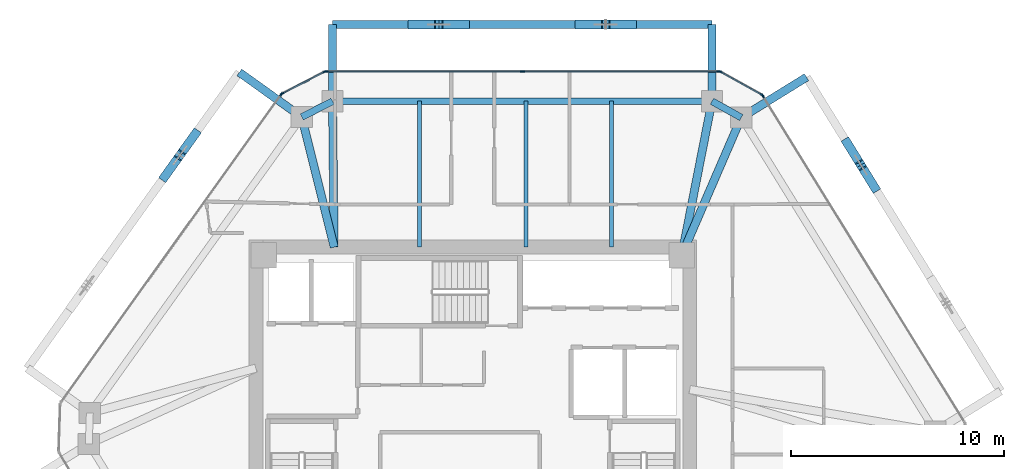
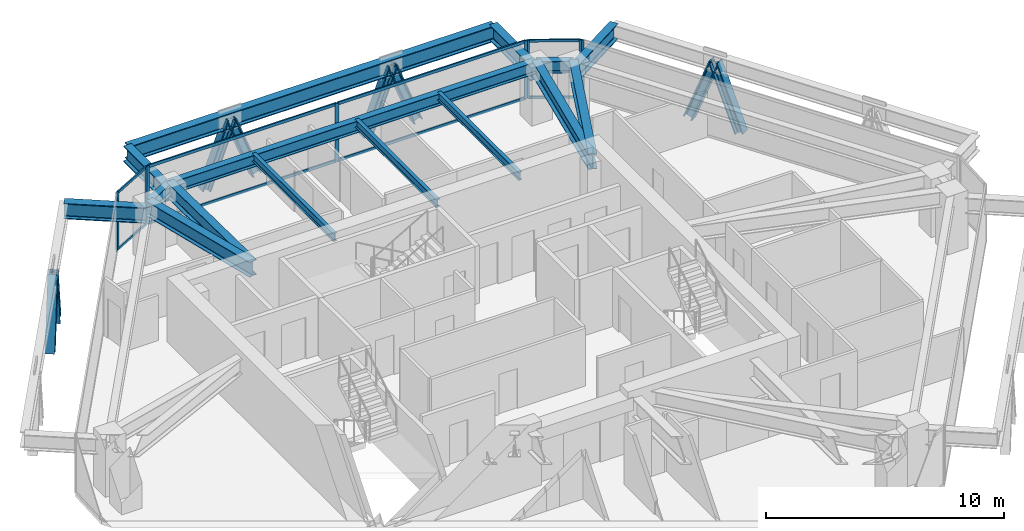
# One storey, part 6 of 14: 25 members, 15 beams, 5 elements without a shape of their own.
"""IFC4 building model written with IfcOpenShell, lengths in metres."""

from ifc_helpers import new_model, si_unit, direction, frame, origin, origin_2d, place, context, subcontext, project, spatial, rectangle, i_section, extrude, source, transform, mapped, material, layer, layer_set, material_profile, profile_set, type_object, type_shapes, element, aggregate, save


model = new_model("IFC4")

# Units and contexts
model_context = context("Model", 3, precision=1e-05, world=origin(), true_north=direction((0.0, 1.0)))
body_context = subcontext(model_context, "Body", "Model", "MODEL_VIEW")
ifc_project = project(units=[si_unit("LENGTHUNIT", "METRE"), si_unit("AREAUNIT", "SQUARE_METRE"), si_unit("VOLUMEUNIT", "CUBIC_METRE"), si_unit("PLANEANGLEUNIT", "RADIAN"), si_unit("MASSUNIT", "GRAM", prefix="KILO")], contexts=[model_context])

# Site, building, storey
site_placement = place(None, origin())
site = spatial("IfcSite", under=ifc_project, at=site_placement, CompositionType="ELEMENT")
building_placement = place(site_placement, origin())
building = spatial("IfcBuilding", under=site, at=building_placement, Name="Durnholm Broadcast Tower", CompositionType="ELEMENT")
storey_placement = place(building_placement, frame((0.0, 0.0, 159.300048828125)))
storey = spatial("IfcBuildingStorey", under=building, at=storey_placement, Name="L43", CompositionType="ELEMENT", Elevation=159.300048828125)

# Beams
ifc_material_1 = material(Name="Steel ASTM A992 Grade 50", Category="steel")
ifc_material_profile_1 = material_profile(ifc_material_1, i_section(OverallWidth=0.385009765625, OverallDepth=0.802978515625, WebThickness=0.023681640625, FlangeThickness=0.0419921875, FilletRadius=0.032958984375, at=origin_2d()), Name="W30X261")
ifc_profile_set_1 = profile_set([ifc_material_profile_1], Name="Steel ASTM A992 Grade 50")
beam_type_1 = type_object("IfcBeamType", Name="BM-EXO-TIE", PredefinedType="USERDEFINED", material=ifc_profile_set_1)
shared_shape_1 = source(origin(), body_context, "Body", "SweptSolid", [
    extrude(i_section(OverallWidth=0.385009765625, OverallDepth=0.802978515625, WebThickness=0.023681640625, FlangeThickness=0.0419921875, FilletRadius=0.032958984375, at=origin_2d()), origin(), (0.0, 0.0, 1.0), 3.4560546875),
])
for number, where, z_axis, x_axis, name in (
    (1, (12.713134765625, 14.327880859375, 2.228515625), (0.850662348375, 0.525712439512, 0.0), (-0.525712439512, 0.850662348375, 0.0), "L43 exoskeleton stand-off tie bracket F3.2"),
    (2, (-8.138916015625, 14.360107421875, 2.228515625), (-0.813079048773, 0.582153296346, 0.0), (-0.582153296346, -0.813079048773, 0.0), "L43 exoskeleton stand-off tie bracket F5.1"),
):
    element("IfcBeam", number, at=place(storey_placement, frame(where, z_axis=z_axis, x_axis=x_axis)), inside=storey, type_object=beam_type_1, Name=name, ObjectType="GIRDER", PredefinedType="USERDEFINED", context=body_context, shape_type="MappedRepresentation", body=[
        mapped(shared_shape_1, transform((0.0, 0.0, 0.0), x_axis=(1.0, 0.0, 0.0), y_axis=(0.0, 1.0, 0.0), z_axis=(0.0, 0.0, 1.0), scale=1.0)),
    ])
shared_shape_2 = source(origin(), body_context, "Body", "SweptSolid", [
    extrude(i_section(OverallWidth=0.385009765625, OverallDepth=0.802978515625, WebThickness=0.023681640625, FlangeThickness=0.0419921875, FilletRadius=0.032958984375, at=origin_2d()), origin(), (0.0, 0.0, 1.0), 3.455810546875),
])
for number, where, z_axis, x_axis, name in (
    (3, (11.217529296875, 15.162109375, 2.228515625), (0.0, 1.0, 0.0), (-1.0, 0.0, 0.0), "L43 exoskeleton stand-off tie bracket F4.1"),
    (4, (-6.57861328125, 15.162109375, 2.228515625), (0.0, 1.0, 0.0), (-1.0, 0.0, 0.0), "L43 exoskeleton stand-off tie bracket F4.2"),
):
    element("IfcBeam", number, at=place(storey_placement, frame(where, z_axis=z_axis, x_axis=x_axis)), inside=storey, type_object=beam_type_1, Name=name, ObjectType="GIRDER", PredefinedType="USERDEFINED", context=body_context, shape_type="MappedRepresentation", body=[
        mapped(shared_shape_2, transform((0.0, 0.0, 0.0), x_axis=(1.0, 0.0, 0.0), y_axis=(0.0, 1.0, 0.0), z_axis=(0.0, 0.0, 1.0), scale=1.0)),
    ])
ifc_material_profile_2 = material_profile(ifc_material_1, i_section(OverallWidth=0.3251953125, OverallDepth=0.6162109375, WebThickness=0.013916015625, FlangeThickness=0.021484375, FilletRadius=0.02783203125, at=origin_2d()), Name="W24X117")
ifc_profile_set_2 = profile_set([ifc_material_profile_2], Name="Steel ASTM A992 Grade 50")
beam_type_2 = type_object("IfcBeamType", Name="STL-SP-W24X117", PredefinedType="SPANDREL", material=ifc_profile_set_2)
shared_shape_3 = source(origin(), body_context, "Body", "SweptSolid", [
    extrude(i_section(OverallWidth=0.3251953125, OverallDepth=0.6162109375, WebThickness=0.013916015625, FlangeThickness=0.021484375, FilletRadius=0.02783203125, at=origin_2d()), origin(), (0.0, 0.0, 1.0), 1.62255859375),
])
beam_1_placement = place(storey_placement, frame((-8.021728515625, 14.2763671875, 2.65673828125), z_axis=(0.889406668864, 0.45711680934, 0.0), x_axis=(-0.45711680934, 0.889406668864, 0.0)))
element("IfcBeam", 5, at=beam_1_placement, inside=storey, type_object=beam_type_2, Name="L43 perimeter spandrel girder 04", PredefinedType="SPANDREL", context=body_context, shape_type="MappedRepresentation", body=[
    mapped(shared_shape_3, transform((0.0, 0.0, 0.0), x_axis=(1.0, 0.0, 0.0), y_axis=(0.0, 1.0, 0.0), z_axis=(0.0, 0.0, 1.0), scale=1.0)),
])
shared_shape_4 = source(origin(), body_context, "Body", "SweptSolid", [
    extrude(i_section(OverallWidth=0.3251953125, OverallDepth=0.6162109375, WebThickness=0.013916015625, FlangeThickness=0.021484375, FilletRadius=0.02783203125, at=origin_2d()), origin(), (0.0, 0.0, 1.0), 17.796142578125),
])
beam_2_placement = place(storey_placement, frame((-6.57861328125, 15.01806640625, 2.65673828125), z_axis=(1.0, 0.0, 0.0), x_axis=(0.0, 1.0, 0.0)))
element("IfcBeam", 6, at=beam_2_placement, inside=storey, type_object=beam_type_2, Name="L43 perimeter spandrel girder 05", PredefinedType="SPANDREL", context=body_context, shape_type="MappedRepresentation", body=[
    mapped(shared_shape_4, transform((0.0, 0.0, 0.0), x_axis=(1.0, 0.0, 0.0), y_axis=(0.0, 1.0, 0.0), z_axis=(0.0, 0.0, 1.0), scale=1.0)),
])
shared_shape_5 = source(origin(), body_context, "Body", "SweptSolid", [
    extrude(i_section(OverallWidth=0.3251953125, OverallDepth=0.6162109375, WebThickness=0.013916015625, FlangeThickness=0.021484375, FilletRadius=0.02783203125, at=origin_2d()), origin(), (0.0, 0.0, 1.0), 1.572509765625),
])
type_shapes(beam_type_2, [shared_shape_3, shared_shape_4, shared_shape_5])
beam_3_placement = place(storey_placement, frame((11.217529296875, 15.01806640625, 2.65673828125), z_axis=(0.873365144476, -0.487066037017, 0.0), x_axis=(0.487066037017, 0.873365144476, 0.0)))
element("IfcBeam", 7, at=beam_3_placement, inside=storey, type_object=beam_type_2, Name="L43 perimeter spandrel girder 06", PredefinedType="SPANDREL", context=body_context, shape_type="MappedRepresentation", body=[
    mapped(shared_shape_5, transform((0.0, 0.0, 0.0), x_axis=(1.0, 0.0, 0.0), y_axis=(0.0, 1.0, 0.0), z_axis=(0.0, 0.0, 1.0), scale=1.0)),
])
ifc_material_profile_3 = material_profile(ifc_material_1, i_section(OverallWidth=0.380615234375, OverallDepth=0.773193359375, WebThickness=0.0166015625, FlangeThickness=0.027099609375, FilletRadius=0.032958984375, at=origin_2d()), Name="W30X173")
ifc_profile_set_3 = profile_set([ifc_material_profile_3], Name="Steel ASTM A992 Grade 50")
beam_type_3 = type_object("IfcBeamType", Name="STL-GR-W30X173", PredefinedType="USERDEFINED", material=ifc_profile_set_3)
shared_shape_6 = source(origin(), body_context, "Body", "SweptSolid", [
    extrude(i_section(OverallWidth=0.380615234375, OverallDepth=0.773193359375, WebThickness=0.0166015625, FlangeThickness=0.027099609375, FilletRadius=0.032958984375, at=origin_2d()), origin(), (0.0, 0.0, 1.0), 7.35595703125),
])
beam_4_placement = place(storey_placement, frame((9.800048828125, 7.800048828125, 2.578369140625), z_axis=(0.192700221893, 0.981257674865, 0.0), x_axis=(-0.981257674865, 0.192700221893, 0.0)))
element("IfcBeam", 8, at=beam_4_placement, inside=storey, type_object=beam_type_3, Name="L43 radial primary floor girder 06", ObjectType="GIRDER", PredefinedType="USERDEFINED", context=body_context, shape_type="MappedRepresentation", body=[
    mapped(shared_shape_6, transform((0.0, 0.0, 0.0), x_axis=(1.0, 0.0, 0.0), y_axis=(0.0, 1.0, 0.0), z_axis=(0.0, 0.0, 1.0), scale=1.0)),
])
shared_shape_7 = source(origin(), body_context, "Body", "SweptSolid", [
    extrude(i_section(OverallWidth=0.380615234375, OverallDepth=0.773193359375, WebThickness=0.0166015625, FlangeThickness=0.027099609375, FilletRadius=0.032958984375, at=origin_2d()), origin(), (0.0, 0.0, 1.0), 7.02978515625),
])
beam_5_placement = place(storey_placement, frame((9.800048828125, 7.800048828125, 2.578369140625), z_axis=(0.396989434191, 0.91782317967, 0.0), x_axis=(-0.91782317967, 0.396989434191, 0.0)))
element("IfcBeam", 9, at=beam_5_placement, inside=storey, type_object=beam_type_3, Name="L43 radial primary floor girder 07", ObjectType="GIRDER", PredefinedType="USERDEFINED", context=body_context, shape_type="MappedRepresentation", body=[
    mapped(shared_shape_7, transform((0.0, 0.0, 0.0), x_axis=(1.0, 0.0, 0.0), y_axis=(0.0, 1.0, 0.0), z_axis=(0.0, 0.0, 1.0), scale=1.0)),
])
shared_shape_8 = source(origin(), body_context, "Body", "SweptSolid", [
    extrude(i_section(OverallWidth=0.385009765625, OverallDepth=0.802978515625, WebThickness=0.023681640625, FlangeThickness=0.0419921875, FilletRadius=0.032958984375, at=origin_2d()), origin(), (0.0, 0.0, 1.0), 17.796142578125),
])
type_shapes(beam_type_1, [shared_shape_1, shared_shape_2, shared_shape_8])
beam_6_placement = place(storey_placement, frame((11.217529296875, 18.617919921875, 2.228515625), z_axis=(-1.0, 0.0, 0.0), x_axis=(0.0, -1.0, 0.0)))
element("IfcBeam", 10, at=beam_6_placement, inside=storey, type_object=beam_type_1, Name="L43 exoskeleton collector spandrel F4", PredefinedType="SPANDREL", context=body_context, shape_type="MappedRepresentation", body=[
    mapped(shared_shape_8, transform((0.0, 0.0, 0.0), x_axis=(1.0, 0.0, 0.0), y_axis=(0.0, 1.0, 0.0), z_axis=(0.0, 0.0, 1.0), scale=1.0)),
])
shared_shape_9 = source(origin(), body_context, "Body", "SweptSolid", [
    extrude(i_section(OverallWidth=0.380615234375, OverallDepth=0.773193359375, WebThickness=0.0166015625, FlangeThickness=0.027099609375, FilletRadius=0.032958984375, at=origin_2d()), origin(), (0.0, 0.0, 1.0), 6.288330078125),
])
beam_7_placement = place(storey_placement, frame((-6.5, 8.175048828125, 2.578369140625), z_axis=(-0.241996604408, 0.970277096223, 0.0), x_axis=(-0.970277096223, -0.241996604408, 0.0)))
element("IfcBeam", 11, at=beam_7_placement, inside=storey, type_object=beam_type_3, Name="L43 radial primary floor girder 04", ObjectType="GIRDER", PredefinedType="USERDEFINED", context=body_context, shape_type="MappedRepresentation", body=[
    mapped(shared_shape_9, transform((0.0, 0.0, 0.0), x_axis=(1.0, 0.0, 0.0), y_axis=(0.0, 1.0, 0.0), z_axis=(0.0, 0.0, 1.0), scale=1.0)),
])
shared_shape_10 = source(origin(), body_context, "Body", "SweptSolid", [
    extrude(i_section(OverallWidth=0.380615234375, OverallDepth=0.773193359375, WebThickness=0.0166015625, FlangeThickness=0.027099609375, FilletRadius=0.032958984375, at=origin_2d()), origin(), (0.0, 0.0, 1.0), 6.843505859375),
])
type_shapes(beam_type_3, [shared_shape_6, shared_shape_7, shared_shape_9, shared_shape_10])
beam_8_placement = place(storey_placement, frame((-6.5, 8.175048828125, 2.578369140625), z_axis=(-0.011487343604, 0.999934018292, 0.0), x_axis=(-0.999934018292, -0.011487343604, 0.0)))
element("IfcBeam", 12, at=beam_8_placement, inside=storey, type_object=beam_type_3, Name="L43 radial primary floor girder 05", ObjectType="GIRDER", PredefinedType="USERDEFINED", context=body_context, shape_type="MappedRepresentation", body=[
    mapped(shared_shape_10, transform((0.0, 0.0, 0.0), x_axis=(1.0, 0.0, 0.0), y_axis=(0.0, 1.0, 0.0), z_axis=(0.0, 0.0, 1.0), scale=1.0)),
])
ifc_material_profile_4 = material_profile(ifc_material_1, i_section(OverallWidth=0.177734375, OverallDepth=0.40673828125, WebThickness=0.0078125, FlangeThickness=0.0126953125, FilletRadius=0.01904296875, at=origin_2d()), Name="W16X40")
ifc_profile_set_4 = profile_set([ifc_material_profile_4], Name="Steel ASTM A992 Grade 50")
beam_type_4 = type_object("IfcBeamType", Name="STL-BJ-W16X40", PredefinedType="JOIST", material=ifc_profile_set_4)
shared_shape_11 = source(origin(), body_context, "Body", "SweptSolid", [
    extrude(i_section(OverallWidth=0.177734375, OverallDepth=0.40673828125, WebThickness=0.0078125, FlangeThickness=0.0126953125, FilletRadius=0.01904296875, at=origin_2d()), origin(), (0.0, 0.0, 1.0), 6.843017578125),
])
type_shapes(beam_type_4, [shared_shape_11])
for number, where, z_axis, x_axis, name in (
    (13, (-2.5, 8.175048828125, 2.76171875), (0.0, 1.0, 0.0), (-1.0, 0.0, 0.0), "L43 secondary floor joist 5.2"),
    (14, (2.5, 8.175048828125, 2.76171875), (0.0, 1.0, 0.0), (-1.0, 0.0, 0.0), "L43 secondary floor joist 6.2"),
    (15, (6.5, 8.175048828125, 2.76171875), (0.0, 1.0, 0.0), (-1.0, 0.0, 0.0), "L43 secondary floor joist 7.2"),
):
    element("IfcBeam", number, at=place(storey_placement, frame(where, z_axis=z_axis, x_axis=x_axis)), inside=storey, type_object=beam_type_4, Name=name, PredefinedType="JOIST", context=body_context, shape_type="MappedRepresentation", body=[
        mapped(shared_shape_11, transform((0.0, 0.0, 0.0), x_axis=(1.0, 0.0, 0.0), y_axis=(0.0, 1.0, 0.0), z_axis=(0.0, 0.0, 1.0), scale=1.0)),
    ])

# Members
ifc_material_2 = material(Name="Steel ASTM A913 Grade 65", Category="steel")
ifc_material_profile_5 = material_profile(ifc_material_2, i_section(OverallWidth=0.412109375, OverallDepth=0.434814453125, WebThickness=0.035888671875, FlangeThickness=0.057373046875, FilletRadius=0.030517578125, at=origin_2d()), Name="W14X311")
ifc_profile_set_5 = profile_set([ifc_material_profile_5], Name="Steel ASTM A913 Grade 65")
member_type_1 = type_object("IfcMemberType", Name="STL-DG-W14X311", PredefinedType="BRACE", material=ifc_profile_set_5)
shared_shape_12 = source(origin(), body_context, "Body", "SweptSolid", [
    extrude(i_section(OverallWidth=0.412109375, OverallDepth=0.434814453125, WebThickness=0.035888671875, FlangeThickness=0.057373046875, FilletRadius=0.030517578125, at=origin_2d()), origin(), (0.0, 0.0, 1.0), 3.4482421875),
])
type_shapes(member_type_1, [shared_shape_12])
for number, where, z_axis, x_axis, name in (
    (16, (18.8486328125, 10.973876953125, -0.991455078125), (-0.188053667643, 0.304312749822, 0.933825234389), (-0.85067825406, -0.525686701439, 0.0), "L43 stand-off diagrid brace F3.D2.1"),
    (17, (17.551513671875, 13.072998046875, -0.991455078125), (0.188113857882, -0.304437180615, 0.933772552355), (0.850699125742, 0.525652924906, 0.0), "L43 stand-off diagrid brace F3.D2.2"),
    (18, (7.468505859375, 18.617919921875, -0.991455078125), (-0.357825924509, 0.0, 0.933788309923), (0.0, -1.0, 0.0), "L43 stand-off diagrid brace F4.D1.1"),
    (19, (5.000732421875, 18.617919921875, -0.991455078125), (0.357825924509, 0.0, 0.933788309923), (0.0, 1.0, 0.0), "L43 stand-off diagrid brace F4.D1.2"),
    (20, (-0.36181640625, 18.617919921875, -0.991455078125), (-0.357825924509, 0.0, 0.933788309923), (0.0, -1.0, 0.0), "L43 stand-off diagrid brace F4.D2.1"),
    (21, (-2.82958984375, 18.617919921875, -0.991455078125), (0.357825924509, 0.0, 0.933788309923), (0.0, 1.0, 0.0), "L43 stand-off diagrid brace F4.D2.2"),
    (22, (-13.013427734375, 13.48876953125, -0.991455078125), (-0.20829710249, -0.290922091819, 0.933796901679), (0.813077820009, -0.582155012526, 0.0), "L43 stand-off diagrid brace F5.D1.1"),
    (23, (-14.449951171875, 11.482421875, -0.991455078125), (0.20829710249, 0.290922091819, 0.933796901679), (-0.813077820009, 0.582155012526, 0.0), "L43 stand-off diagrid brace F5.D1.2"),
):
    element("IfcMember", number, at=place(storey_placement, frame(where, z_axis=z_axis, x_axis=x_axis)), inside=storey, type_object=member_type_1, Name=name, PredefinedType="BRACE", context=body_context, shape_type="MappedRepresentation", body=[
        mapped(shared_shape_12, transform((0.0, 0.0, 0.0), x_axis=(1.0, 0.0, 0.0), y_axis=(0.0, 1.0, 0.0), z_axis=(0.0, 0.0, 1.0), scale=1.0)),
    ])

# Curtain wall, members
ifc_material_3 = material(Name="Aluminium and Solar Control IGU", Category="aluminium")
ifc_layer_1 = layer(ifc_material_3, 0.1650390625)
ifc_layer_set_1 = layer_set([ifc_layer_1], Name="Aluminium and Solar Control IGU")
curtain_wall_type_1 = type_object("IfcCurtainWallType", Name="CW-SYS-5", PredefinedType="NOTDEFINED", material=ifc_layer_set_1)
curtain_wall_1_placement = place(storey_placement, origin())
curtain_wall_1 = element("IfcCurtainWall", 24, at=curtain_wall_1_placement, inside=storey, type_object=curtain_wall_type_1, Name="L43 curtain wall CW-CORNER CW-L43-CRN-03", PredefinedType="NOTDEFINED")
ifc_material_4 = material(Name="Aluminium 6063-T6", Category="aluminium")
ifc_material_profile_6 = material_profile(ifc_material_4, rectangle(XDim=0.06494140625, YDim=0.1298828125, at=origin_2d()), Name="CWT65X130")
ifc_profile_set_6 = profile_set([ifc_material_profile_6], Name="Aluminium 6063-T6")
member_type_2 = type_object("IfcMemberType", Name="CW-SYS-5-TRN", PredefinedType="USERDEFINED", material=ifc_profile_set_6)
shared_shape_13 = source(origin(), body_context, "Body", "SweptSolid", [
    extrude(rectangle(XDim=0.06494140625, YDim=0.1298828125, at=origin_2d()), origin(), (0.0, 0.0, 1.0), 2.169921875),
])
type_shapes(member_type_2, [shared_shape_13])
member_1_placement = place(storey_placement, frame((-8.9052734375, 15.396484375, 0.032470703125), z_axis=(0.889468148591, 0.456997169185, 0.0), x_axis=(-0.456997169185, 0.889468148591, 0.0)))
member_1 = element("IfcMember", 25, at=member_1_placement, type_object=member_type_2, Name="CW-CORNER transom 1.1", ObjectType="TRANSOM", PredefinedType="USERDEFINED", context=body_context, shape_type="MappedRepresentation", body=[
    mapped(shared_shape_13, transform((0.0, 0.0, 0.0), x_axis=(1.0, 0.0, 0.0), y_axis=(0.0, 1.0, 0.0), z_axis=(0.0, 0.0, 1.0), scale=1.0)),
])
member_2_placement = place(storey_placement, frame((-8.9052734375, 15.396484375, 2.947509765625), z_axis=(0.889468148591, 0.456997169185, 0.0), x_axis=(-0.456997169185, 0.889468148591, 0.0)))
member_2 = element("IfcMember", 26, at=member_2_placement, type_object=member_type_2, Name="CW-CORNER transom 1.2", ObjectType="TRANSOM", PredefinedType="USERDEFINED", context=body_context, shape_type="MappedRepresentation", body=[
    mapped(shared_shape_13, transform((0.0, 0.0, 0.0), x_axis=(1.0, 0.0, 0.0), y_axis=(0.0, 1.0, 0.0), z_axis=(0.0, 0.0, 1.0), scale=1.0)),
])

curtain_wall_2_placement = place(storey_placement, origin())
curtain_wall_2 = element("IfcCurtainWall", 27, at=curtain_wall_2_placement, inside=storey, type_object=curtain_wall_type_1, Name="L43 curtain wall CW-CORNER CW-L43-CRN-05", PredefinedType="NOTDEFINED")
member_3_placement = place(storey_placement, frame((11.63818359375, 16.38623046875, 0.032470703125), z_axis=(0.873429215361, -0.48695113282, 0.0), x_axis=(0.48695113282, 0.873429215361, 0.0)))
member_3 = element("IfcMember", 28, at=member_3_placement, type_object=member_type_2, Name="CW-CORNER transom 1.1", ObjectType="TRANSOM", PredefinedType="USERDEFINED", context=body_context, shape_type="MappedRepresentation", body=[
    mapped(shared_shape_13, transform((0.0, 0.0, 0.0), x_axis=(1.0, 0.0, 0.0), y_axis=(0.0, 1.0, 0.0), z_axis=(0.0, 0.0, 1.0), scale=1.0)),
])
member_4_placement = place(storey_placement, frame((11.63818359375, 16.38623046875, 2.947509765625), z_axis=(0.873429215361, -0.48695113282, 0.0), x_axis=(0.48695113282, 0.873429215361, 0.0)))
member_4 = element("IfcMember", 29, at=member_4_placement, type_object=member_type_2, Name="CW-CORNER transom 1.2", ObjectType="TRANSOM", PredefinedType="USERDEFINED", context=body_context, shape_type="MappedRepresentation", body=[
    mapped(shared_shape_13, transform((0.0, 0.0, 0.0), x_axis=(1.0, 0.0, 0.0), y_axis=(0.0, 1.0, 0.0), z_axis=(0.0, 0.0, 1.0), scale=1.0)),
])

# Member
ifc_material_profile_7 = material_profile(ifc_material_4, rectangle(XDim=0.06494140625, YDim=0.1650390625, at=origin_2d()), Name="CWM65X165")
ifc_profile_set_7 = profile_set([ifc_material_profile_7], Name="Aluminium 6063-T6")
member_type_3 = type_object("IfcMemberType", Name="CW-SYS-5-MUL", PredefinedType="MULLION", material=ifc_profile_set_7)
shared_shape_14 = source(origin(), body_context, "Body", "SweptSolid", [
    extrude(rectangle(XDim=0.06494140625, YDim=0.1650390625, at=origin_2d()), origin(), (0.0, 0.0, 1.0), 2.97998046875),
])
type_shapes(member_type_3, [shared_shape_14])
member_5_placement = place(storey_placement, frame((-8.93408203125, 15.381591796875, 0.0), z_axis=(0.0, 0.0, 1.0), x_axis=(-0.457081764476, 0.889424679545, 0.0)))
member_5 = element("IfcMember", 30, at=member_5_placement, type_object=member_type_3, Name="CW-CORNER mullion 1", PredefinedType="MULLION", context=body_context, shape_type="MappedRepresentation", body=[
    mapped(shared_shape_14, transform((0.0, 0.0, 0.0), x_axis=(1.0, 0.0, 0.0), y_axis=(0.0, 1.0, 0.0), z_axis=(0.0, 0.0, 1.0), scale=1.0)),
])

member_6_placement = place(storey_placement, frame((-6.9462890625, 16.403076171875, 0.0), z_axis=(0.0, 0.0, 1.0), x_axis=(-0.457081764476, 0.889424679545, 0.0)))
member_6 = element("IfcMember", 31, at=member_6_placement, type_object=member_type_3, Name="CW-CORNER mullion 2", PredefinedType="MULLION", context=body_context, shape_type="MappedRepresentation", body=[
    mapped(shared_shape_14, transform((0.0, 0.0, 0.0), x_axis=(1.0, 0.0, 0.0), y_axis=(0.0, 1.0, 0.0), z_axis=(0.0, 0.0, 1.0), scale=1.0)),
])

aggregate(curtain_wall_1, [member_5, member_6, member_1, member_2])

member_7_placement = place(storey_placement, frame((11.60986328125, 16.402099609375, 0.0), z_axis=(0.0, 0.0, 1.0), x_axis=(0.486986043316, 0.873409751271, 0.0)))
member_7 = element("IfcMember", 32, at=member_7_placement, type_object=member_type_3, Name="CW-CORNER mullion 1", PredefinedType="MULLION", context=body_context, shape_type="MappedRepresentation", body=[
    mapped(shared_shape_14, transform((0.0, 0.0, 0.0), x_axis=(1.0, 0.0, 0.0), y_axis=(0.0, 1.0, 0.0), z_axis=(0.0, 0.0, 1.0), scale=1.0)),
])

member_8_placement = place(storey_placement, frame((13.56201171875, 15.313720703125, 0.0), z_axis=(0.0, 0.0, 1.0), x_axis=(0.486986043316, 0.873409751271, 0.0)))
member_8 = element("IfcMember", 33, at=member_8_placement, type_object=member_type_3, Name="CW-CORNER mullion 2", PredefinedType="MULLION", context=body_context, shape_type="MappedRepresentation", body=[
    mapped(shared_shape_14, transform((0.0, 0.0, 0.0), x_axis=(1.0, 0.0, 0.0), y_axis=(0.0, 1.0, 0.0), z_axis=(0.0, 0.0, 1.0), scale=1.0)),
])

aggregate(curtain_wall_2, [member_7, member_8, member_3, member_4])

# Curtain wall, member
ifc_layer_2 = layer(ifc_material_3, 0.18994140625)
ifc_layer_set_2 = layer_set([ifc_layer_2], Name="Aluminium and Solar Control IGU")
curtain_wall_type_2 = type_object("IfcCurtainWallType", Name="CW-SYS-4", PredefinedType="NOTDEFINED", material=ifc_layer_set_2)
curtain_wall_3_placement = place(storey_placement, origin())
curtain_wall_3 = element("IfcCurtainWall", 34, at=curtain_wall_3_placement, inside=storey, type_object=curtain_wall_type_2, Name="L43 curtain wall CW-Z34-VIS CW-L43-F02", PredefinedType="NOTDEFINED")
ifc_material_profile_8 = material_profile(ifc_material_4, rectangle(XDim=0.070068359375, YDim=0.18994140625, at=origin_2d()), Name="CWM70X190")
ifc_profile_set_8 = profile_set([ifc_material_profile_8], Name="Aluminium 6063-T6")
member_type_4 = type_object("IfcMemberType", Name="CW-SYS-4-MUL", PredefinedType="MULLION", material=ifc_profile_set_8)
shared_shape_15 = source(origin(), body_context, "Body", "SweptSolid", [
    extrude(rectangle(XDim=0.070068359375, YDim=0.18994140625, at=origin_2d()), origin(), (0.0, 0.0, 1.0), 2.97998046875),
])
type_shapes(member_type_4, [shared_shape_15])
member_9_placement = place(storey_placement, frame((-8.9833984375, 15.338134765625, 0.0), z_axis=(0.0, 0.0, 1.0), x_axis=(-0.813089262696, 0.582139030549, 0.0)))
member_9 = element("IfcMember", 35, at=member_9_placement, type_object=member_type_4, Name="CW-Z34-VIS mullion 2", PredefinedType="MULLION", context=body_context, shape_type="MappedRepresentation", body=[
    mapped(shared_shape_15, transform((0.0, 0.0, 0.0), x_axis=(1.0, 0.0, 0.0), y_axis=(0.0, 1.0, 0.0), z_axis=(0.0, 0.0, 1.0), scale=1.0)),
])
aggregate(curtain_wall_3, [member_9])

# Curtain wall, members
curtain_wall_4_placement = place(storey_placement, origin())
curtain_wall_4 = element("IfcCurtainWall", 36, at=curtain_wall_4_placement, inside=storey, type_object=curtain_wall_type_2, Name="L43 curtain wall CW-Z34-VIS CW-L43-F04", PredefinedType="NOTDEFINED")
member_10_placement = place(storey_placement, frame((-6.88232421875, 16.41796875, 0.0), z_axis=(0.0, 0.0, 1.0), x_axis=(0.0, 1.0, 0.0)))
member_10 = element("IfcMember", 37, at=member_10_placement, type_object=member_type_4, Name="CW-Z34-VIS mullion 1", PredefinedType="MULLION", context=body_context, shape_type="MappedRepresentation", body=[
    mapped(shared_shape_15, transform((0.0, 0.0, 0.0), x_axis=(1.0, 0.0, 0.0), y_axis=(0.0, 1.0, 0.0), z_axis=(0.0, 0.0, 1.0), scale=1.0)),
])
member_11_placement = place(storey_placement, frame((2.33203125, 16.41796875, 0.0), z_axis=(0.0, 0.0, 1.0), x_axis=(0.0, 1.0, 0.0)))
member_11 = element("IfcMember", 38, at=member_11_placement, type_object=member_type_4, Name="CW-Z34-VIS mullion 2", PredefinedType="MULLION", context=body_context, shape_type="MappedRepresentation", body=[
    mapped(shared_shape_15, transform((0.0, 0.0, 0.0), x_axis=(1.0, 0.0, 0.0), y_axis=(0.0, 1.0, 0.0), z_axis=(0.0, 0.0, 1.0), scale=1.0)),
])
member_12_placement = place(storey_placement, frame((11.54638671875, 16.41796875, 0.0), z_axis=(0.0, 0.0, 1.0), x_axis=(0.0, 1.0, 0.0)))
member_12 = element("IfcMember", 39, at=member_12_placement, type_object=member_type_4, Name="CW-Z34-VIS mullion 3", PredefinedType="MULLION", context=body_context, shape_type="MappedRepresentation", body=[
    mapped(shared_shape_15, transform((0.0, 0.0, 0.0), x_axis=(1.0, 0.0, 0.0), y_axis=(0.0, 1.0, 0.0), z_axis=(0.0, 0.0, 1.0), scale=1.0)),
])

# Curtain wall, member
curtain_wall_5_placement = place(storey_placement, origin())
curtain_wall_5 = element("IfcCurtainWall", 40, at=curtain_wall_5_placement, inside=storey, type_object=curtain_wall_type_2, Name="L43 curtain wall CW-Z34-VIS CW-L43-F06", PredefinedType="NOTDEFINED")
member_13_placement = place(storey_placement, frame((13.608642578125, 15.26806640625, 0.0), z_axis=(0.0, 0.0, 1.0), x_axis=(0.850671426092, 0.525697750452, 0.0)))
member_13 = element("IfcMember", 41, at=member_13_placement, type_object=member_type_4, Name="CW-Z34-VIS mullion 1", PredefinedType="MULLION", context=body_context, shape_type="MappedRepresentation", body=[
    mapped(shared_shape_15, transform((0.0, 0.0, 0.0), x_axis=(1.0, 0.0, 0.0), y_axis=(0.0, 1.0, 0.0), z_axis=(0.0, 0.0, 1.0), scale=1.0)),
])
aggregate(curtain_wall_5, [member_13])

# Member
ifc_material_profile_9 = material_profile(ifc_material_4, rectangle(XDim=0.070068359375, YDim=0.14990234375, at=origin_2d()), Name="CWT70X150")
ifc_profile_set_9 = profile_set([ifc_material_profile_9], Name="Aluminium 6063-T6")
member_type_5 = type_object("IfcMemberType", Name="CW-SYS-4-TRN", PredefinedType="USERDEFINED", material=ifc_profile_set_9)
shared_shape_16 = source(origin(), body_context, "Body", "SweptSolid", [
    extrude(rectangle(XDim=0.070068359375, YDim=0.14990234375, at=origin_2d()), origin(), (0.0, 0.0, 1.0), 9.14453125),
])
type_shapes(member_type_5, [shared_shape_16])
member_14_placement = place(storey_placement, frame((-6.847412109375, 16.41796875, 0.034912109375), z_axis=(1.0, 0.0, 0.0), x_axis=(0.0, 1.0, 0.0)))
member_14 = element("IfcMember", 42, at=member_14_placement, type_object=member_type_5, Name="CW-Z34-VIS transom 1.1", ObjectType="TRANSOM", PredefinedType="USERDEFINED", context=body_context, shape_type="MappedRepresentation", body=[
    mapped(shared_shape_16, transform((0.0, 0.0, 0.0), x_axis=(1.0, 0.0, 0.0), y_axis=(0.0, 1.0, 0.0), z_axis=(0.0, 0.0, 1.0), scale=1.0)),
])

member_15_placement = place(storey_placement, frame((-6.847412109375, 16.41796875, 2.945068359375), z_axis=(1.0, 0.0, 0.0), x_axis=(0.0, 1.0, 0.0)))
member_15 = element("IfcMember", 43, at=member_15_placement, type_object=member_type_5, Name="CW-Z34-VIS transom 1.2", ObjectType="TRANSOM", PredefinedType="USERDEFINED", context=body_context, shape_type="MappedRepresentation", body=[
    mapped(shared_shape_16, transform((0.0, 0.0, 0.0), x_axis=(1.0, 0.0, 0.0), y_axis=(0.0, 1.0, 0.0), z_axis=(0.0, 0.0, 1.0), scale=1.0)),
])

member_16_placement = place(storey_placement, frame((2.366943359375, 16.41796875, 0.034912109375), z_axis=(1.0, 0.0, 0.0), x_axis=(0.0, 1.0, 0.0)))
member_16 = element("IfcMember", 44, at=member_16_placement, type_object=member_type_5, Name="CW-Z34-VIS transom 2.1", ObjectType="TRANSOM", PredefinedType="USERDEFINED", context=body_context, shape_type="MappedRepresentation", body=[
    mapped(shared_shape_16, transform((0.0, 0.0, 0.0), x_axis=(1.0, 0.0, 0.0), y_axis=(0.0, 1.0, 0.0), z_axis=(0.0, 0.0, 1.0), scale=1.0)),
])

member_17_placement = place(storey_placement, frame((2.366943359375, 16.41796875, 2.945068359375), z_axis=(1.0, 0.0, 0.0), x_axis=(0.0, 1.0, 0.0)))
member_17 = element("IfcMember", 45, at=member_17_placement, type_object=member_type_5, Name="CW-Z34-VIS transom 2.2", ObjectType="TRANSOM", PredefinedType="USERDEFINED", context=body_context, shape_type="MappedRepresentation", body=[
    mapped(shared_shape_16, transform((0.0, 0.0, 0.0), x_axis=(1.0, 0.0, 0.0), y_axis=(0.0, 1.0, 0.0), z_axis=(0.0, 0.0, 1.0), scale=1.0)),
])

aggregate(curtain_wall_4, [member_10, member_11, member_12, member_14, member_15, member_16, member_17])

save(model, "model.ifc")
